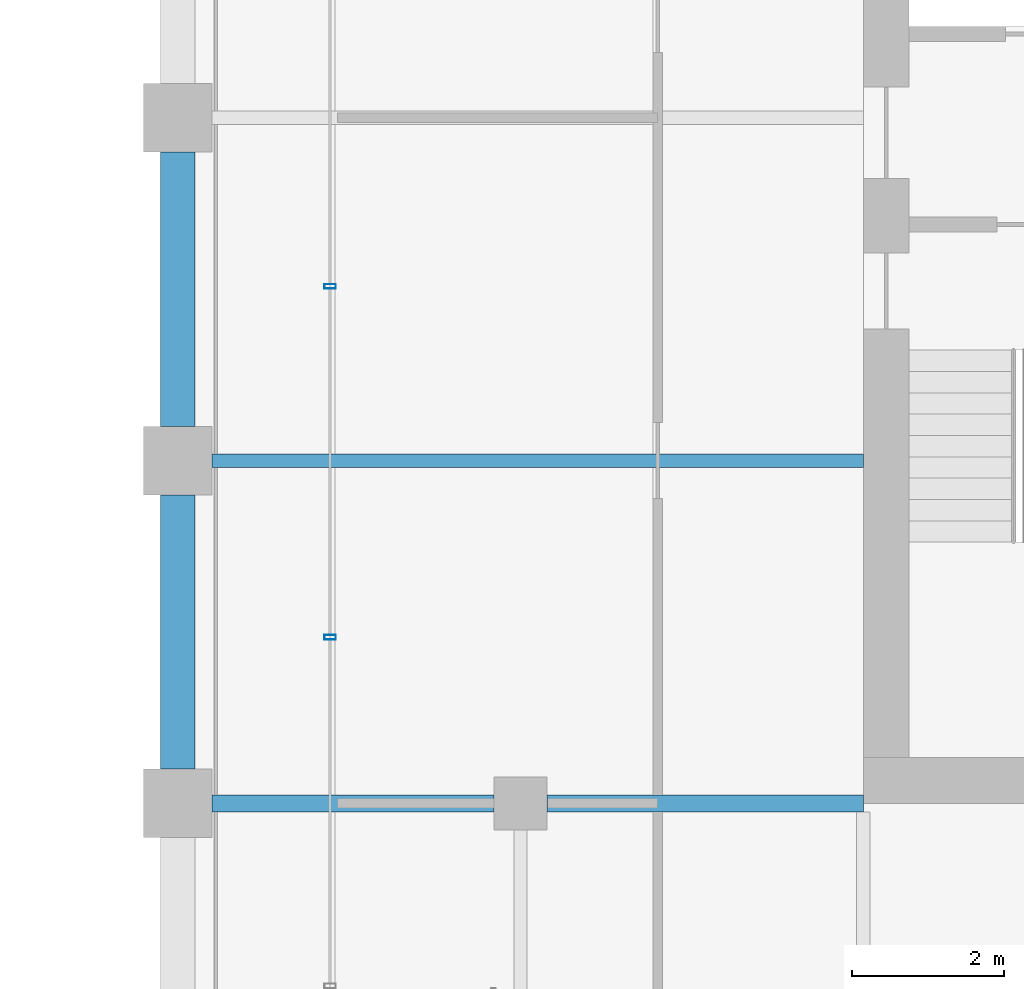
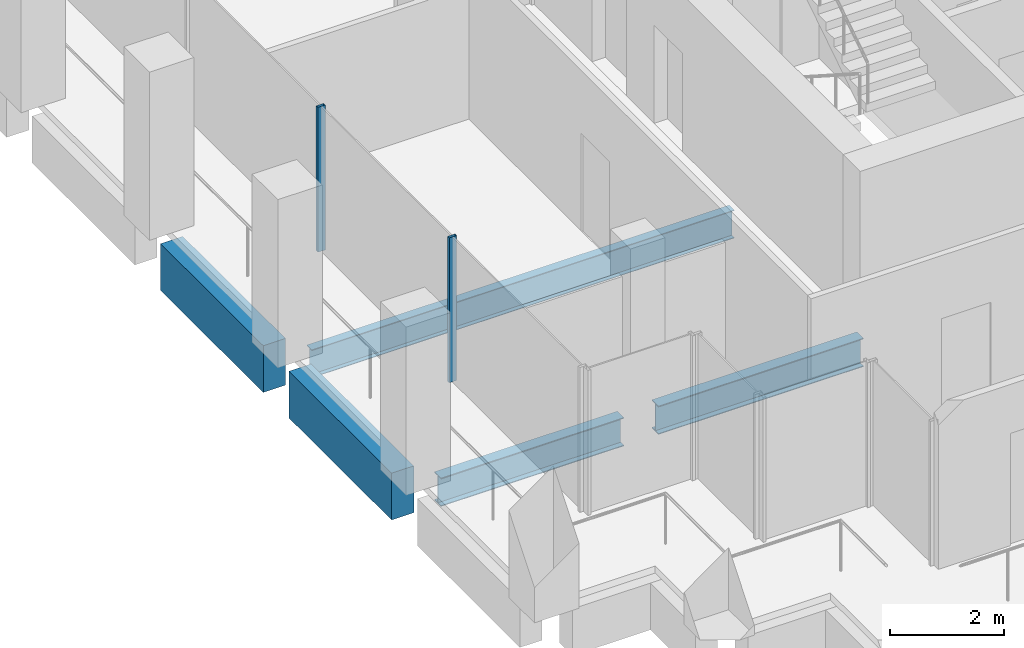
# One storey, part 30 of 40: 5 beams, 2 members, 1 element without a shape of its own.
"""IFC4 building model written with IfcOpenShell, lengths in metres."""

from ifc_helpers import new_model, si_unit, direction, frame, origin, origin_2d, place, context, subcontext, project, spatial, rectangle, hollow_rectangle, i_section, extrude, material, material_profile, profile_set, type_object, element, aggregate, save


model = new_model("IFC4")

# Units and contexts
model_context = context("Model", 3, precision=1e-05, world=origin(), true_north=direction((0.0, 1.0)))
body_context = subcontext(model_context, "Body", "Model", "MODEL_VIEW")
ifc_project = project(units=[si_unit("LENGTHUNIT", "METRE"), si_unit("AREAUNIT", "SQUARE_METRE"), si_unit("VOLUMEUNIT", "CUBIC_METRE"), si_unit("PLANEANGLEUNIT", "RADIAN"), si_unit("MASSUNIT", "GRAM", prefix="KILO")], contexts=[model_context])

# Site, building, storey
site_placement = place(None, origin())
site = spatial("IfcSite", under=ifc_project, at=site_placement, CompositionType="ELEMENT")
building_placement = place(site_placement, origin())
building = spatial("IfcBuilding", under=site, at=building_placement, Name="Altepetl Exchange Towers", CompositionType="ELEMENT")
storey_placement = place(building_placement, frame((0.0, 0.0, 158.199951171875)))
storey = spatial("IfcBuildingStorey", under=building, at=storey_placement, Name="L39", CompositionType="ELEMENT", Elevation=158.199951171875)

# Beams
ifc_material_1 = material(Name="Steel S355", Category="steel")
ifc_material_profile_1 = material_profile(ifc_material_1, i_section(OverallWidth=0.177978515625, OverallDepth=0.59912109375, WebThickness=0.010009765625, FlangeThickness=0.0126953125, at=origin_2d()), Name="W24X55")
ifc_profile_set_1 = profile_set([ifc_material_profile_1], Name="Steel S355")
beam_type_1 = type_object("IfcBeamType", Name="Floor beam W24X55", PredefinedType="BEAM", material=ifc_profile_set_1)
beam_1_placement = place(storey_placement, frame((94.949951171875, 40.5, -0.449462890625), z_axis=(1.0, 0.0, 0.0), x_axis=(0.0, 1.0, 0.0)))
element("IfcBeam", 1, at=beam_1_placement, inside=storey, type_object=beam_type_1, Name="bm:B:L39:004", PredefinedType="BEAM", context=body_context, shape_type="SweptSolid", body=[
    extrude(i_section(OverallWidth=0.177978515625, OverallDepth=0.59912109375, WebThickness=0.010009765625, FlangeThickness=0.0126953125, at=origin_2d()), origin(), (0.0, 0.0, 1.0), 8.550048828125),
])
ifc_material_profile_2 = material_profile(ifc_material_1, i_section(OverallWidth=0.22802734375, OverallDepth=0.60791015625, WebThickness=0.01123046875, FlangeThickness=0.017333984375, at=origin_2d()), Name="W24X76")
ifc_profile_set_2 = profile_set([ifc_material_profile_2], Name="Steel S355")
beam_type_2 = type_object("IfcBeamType", Name="Girder W24X76", PredefinedType="BEAM", material=ifc_profile_set_2)
beam_2_placement = place(storey_placement, frame((103.5, 36.0, -0.453857421875), z_axis=(-1.0, 0.0, 0.0), x_axis=(0.0, -1.0, 0.0)))
element("IfcBeam", 2, at=beam_2_placement, inside=storey, type_object=beam_type_2, Name="gd:B:L39:000", PredefinedType="BEAM", context=body_context, shape_type="SweptSolid", body=[
    extrude(i_section(OverallWidth=0.22802734375, OverallDepth=0.60791015625, WebThickness=0.01123046875, FlangeThickness=0.017333984375, at=origin_2d()), origin(), (0.0, 0.0, 1.0), 4.14990234375),
])
beam_3_placement = place(storey_placement, frame((98.64990234375, 36.0, -0.453857421875), z_axis=(-1.0, 0.0, 0.0), x_axis=(0.0, -1.0, 0.0)))
element("IfcBeam", 3, at=beam_3_placement, inside=storey, type_object=beam_type_2, Name="gd:B:L39:001", PredefinedType="BEAM", context=body_context, shape_type="SweptSolid", body=[
    extrude(i_section(OverallWidth=0.22802734375, OverallDepth=0.60791015625, WebThickness=0.01123046875, FlangeThickness=0.017333984375, at=origin_2d()), origin(), (0.0, 0.0, 1.0), 3.699951171875),
])

# Curtain wall, members
ifc_material_2 = material(Name="Aluminium 6063-T6 glazing", Category="aluminium")
curtain_wall_type = type_object("IfcCurtainWallType", Name="Loggia glazing system", PredefinedType="NOTDEFINED", material=ifc_material_2)
curtain_wall_placement = place(storey_placement, origin())
curtain_wall = element("IfcCurtainWall", 4, at=curtain_wall_placement, inside=storey, type_object=curtain_wall_type, Name="CW1 run", PredefinedType="NOTDEFINED")
ifc_material_3 = material(Name="Aluminium 6063-T6", Category="aluminium")
ifc_material_profile_3 = material_profile(ifc_material_3, hollow_rectangle(XDim=0.06005859375, YDim=0.14990234375, WallThickness=0.0029296875, at=origin_2d()), Name="Mullion 60x150 aluminium")
ifc_profile_set_3 = profile_set([ifc_material_profile_3], Name="Aluminium 6063-T6")
member_type = type_object("IfcMemberType", Name="Mullion 60x150 aluminium", PredefinedType="MULLION", material=ifc_profile_set_3)
member_1_placement = place(storey_placement, frame((96.5, 42.78759765625, 0.0), z_axis=(0.0, 0.0, 1.0), x_axis=(0.0, -1.0, 0.0)))
member_1 = element("IfcMember", 5, at=member_1_placement, type_object=member_type, Name="MU1 mullion", PredefinedType="MULLION", context=body_context, shape_type="SweptSolid", body=[
    extrude(hollow_rectangle(XDim=0.06005859375, YDim=0.14990234375, WallThickness=0.0029296875, at=origin_2d()), origin(), (0.0, 0.0, 1.0), 3.10009765625),
])
member_2_placement = place(storey_placement, frame((96.5, 38.18115234375, 0.0), z_axis=(0.0, 0.0, 1.0), x_axis=(0.0, -1.0, 0.0)))
member_2 = element("IfcMember", 6, at=member_2_placement, type_object=member_type, Name="MU1 mullion", PredefinedType="MULLION", context=body_context, shape_type="SweptSolid", body=[
    extrude(hollow_rectangle(XDim=0.06005859375, YDim=0.14990234375, WallThickness=0.0029296875, at=origin_2d()), origin(), (0.0, 0.0, 1.0), 3.10009765625),
])
aggregate(curtain_wall, [member_1, member_2])

# Beams
ifc_material_4 = material(Name="Concrete C50/60 precast with cantera rosa facing", Category="concrete")
ifc_material_profile_4 = material_profile(ifc_material_4, rectangle(XDim=0.449951171875, YDim=1.0, at=origin_2d()), Name="450 x 1000")
ifc_profile_set_4 = profile_set([ifc_material_profile_4], Name="Concrete C50/60 precast with cantera rosa facing")
beam_type_3 = type_object("IfcBeamType", Name="Spandrel beam 450x1000 cantera rosa", PredefinedType="SPANDREL", material=ifc_profile_set_4)
for number, where, z_axis, x_axis, name in (
    (7, (94.5, 44.550048828125, -0.64990234375), (0.0, -1.0, 0.0), (1.0, 0.0, 0.0), "sp:B:L39:017"),
    (8, (94.5, 40.050048828125, -0.64990234375), (0.0, -1.0, 0.0), (1.0, 0.0, 0.0), "sp:B:L39:018"),
):
    element("IfcBeam", number, at=place(storey_placement, frame(where, z_axis=z_axis, x_axis=x_axis)), inside=storey, type_object=beam_type_3, Name=name, PredefinedType="SPANDREL", context=body_context, shape_type="SweptSolid", body=[
        extrude(rectangle(XDim=0.449951171875, YDim=1.0, at=origin_2d()), origin(), (0.0, 0.0, 1.0), 3.60009765625),
    ])

save(model, "model.ifc")
